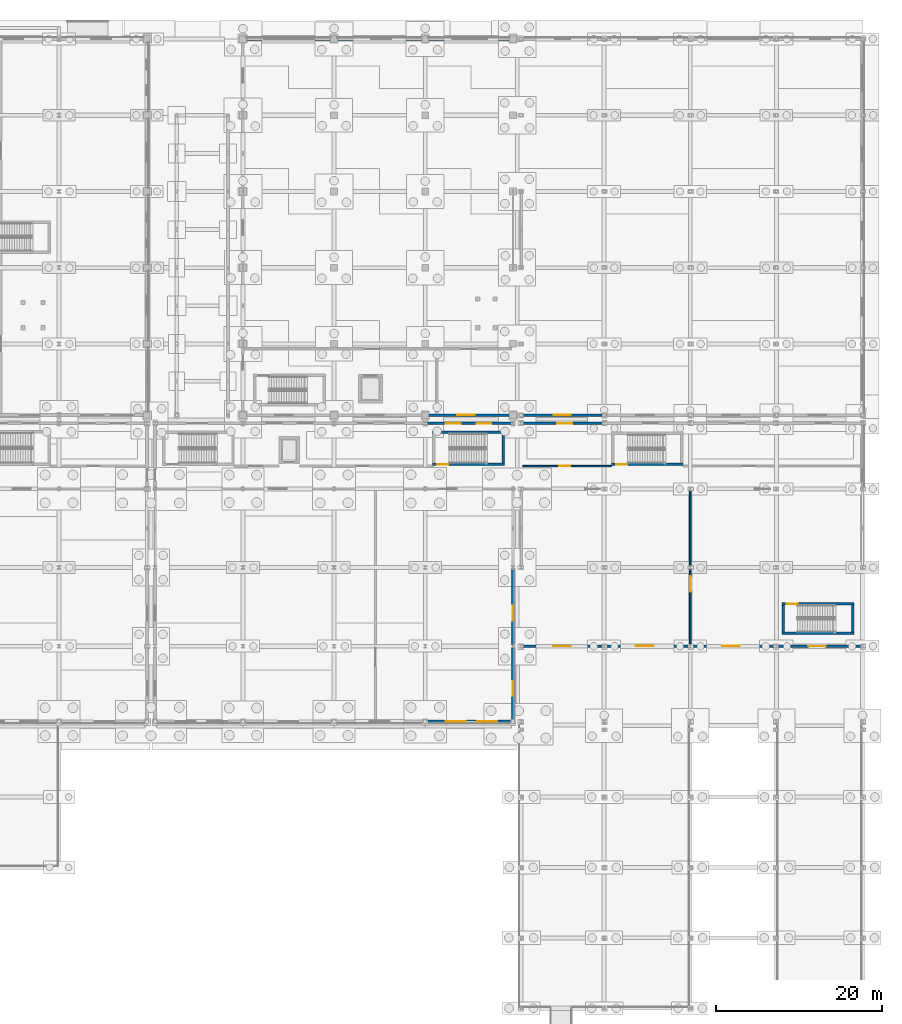
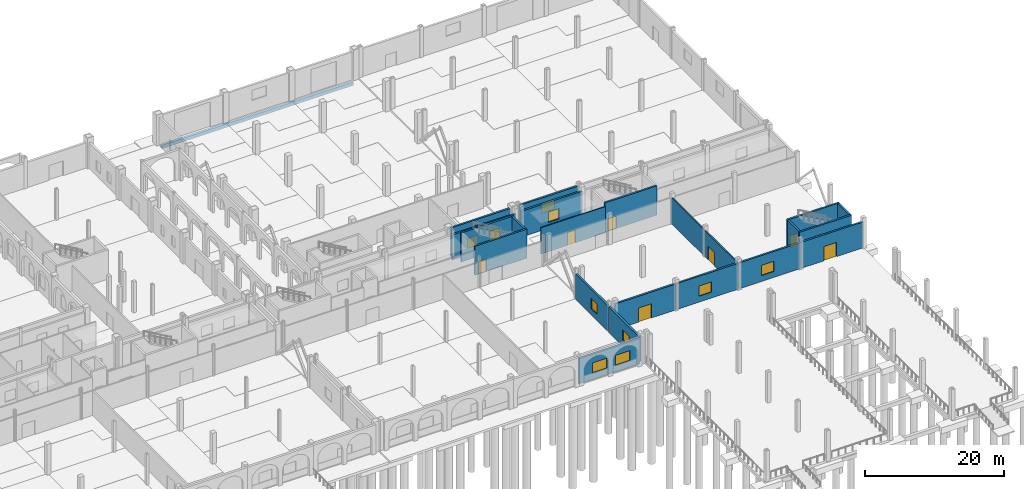
# One storey, part 61 of 83: 22 walls, 11 windows, 7 doors, 18 openings.
"""IFC4 building model written with IfcOpenShell, lengths in metres."""

from ifc_helpers import new_model, si_unit, direction, frame, frame_2d, origin, place, context, subcontext, project, spatial, rectangle, extrude, material, layer, layer_set, type_object, element, fill, save


model = new_model("IFC4")

# Units and contexts
model_context = context("Model", 3, precision=1e-05, world=origin(), true_north=direction((0.0, 1.0)))
body_context = subcontext(model_context, "Body", "Model", "MODEL_VIEW")
ifc_project = project(units=[si_unit("LENGTHUNIT", "METRE"), si_unit("AREAUNIT", "SQUARE_METRE"), si_unit("VOLUMEUNIT", "CUBIC_METRE"), si_unit("PLANEANGLEUNIT", "RADIAN"), si_unit("MASSUNIT", "GRAM", prefix="KILO")], contexts=[model_context])

# Site, building, storey
site_placement = place(None, origin())
site = spatial("IfcSite", under=ifc_project, at=site_placement, CompositionType="ELEMENT")
building_placement = place(site_placement, origin())
building = spatial("IfcBuilding", under=site, at=building_placement, Name="Caurita Quay Ferry Terminal", CompositionType="ELEMENT")
storey_placement = place(building_placement, origin())
storey = spatial("IfcBuildingStorey", under=building, at=storey_placement, Name="L00", CompositionType="ELEMENT", Elevation=0.0)

# Wall, opening, door
ifc_material_1 = material(Name="Reinforced concrete C35/45", Category="concrete")
ifc_layer_1 = layer(ifc_material_1, 0.300048828125, Name="Interior shear wall 300 mm")
ifc_layer_set_1 = layer_set([ifc_layer_1], Name="Reinforced concrete C35/45")
wall_type_1 = type_object("IfcWallType", Name="WL-CORE-300", PredefinedType="SHEAR", material=ifc_layer_set_1)
wall_1_placement = place(storey_placement, frame((122.10009765625, 65.64990234375, 0.0), z_axis=(0.0, 0.0, 1.0), x_axis=(1.0, 0.0, 0.0)))
wall_1 = element("IfcWall", 1, at=wall_1_placement, inside=storey, type_object=wall_type_1, Name="L00 ST-09 Core Wall South", PredefinedType="SHEAR", context=body_context, shape_type="SweptSolid", body=[
    extrude(rectangle(XDim=8.64990234375, YDim=0.300048828125, at=frame_2d((4.324951171875, 0.0))), origin(), (0.0, 0.0, 1.0), 5.10009765625),
])
opening_1_placement = place(wall_1_placement, frame((0.550048828125, 0.0, 0.0)))
opening_1 = element("IfcOpeningElement", 2, at=opening_1_placement, cuts=wall_1, Name="Opening SD-01", PredefinedType="OPENING", context=body_context, shape_type="SweptSolid", body=[
    extrude(rectangle(XDim=1.35009765625, YDim=2.199951171875, at=frame_2d((0.675048828125, 1.10009765625))), frame((0.0, 0.159912109375, 0.0), z_axis=(0.0, -1.0, 0.0), x_axis=(1.0, 0.0, 0.0)), (0.0, 0.0, 1.0), 0.320068359375),
])
ifc_material_2 = material(Name="Anodized aluminium 6063-T6", Category="aluminium")
door_type_1 = type_object("IfcDoorType", Name="DR-ST-1200", OperationType="NOTDEFINED", PredefinedType="DOOR", material=ifc_material_2)
door_1_placement = place(opening_1_placement, frame((1.35009765625, 0.0, 0.0), z_axis=(0.0, 0.0, 1.0), x_axis=(-1.0, 0.0, 0.0)))
door_1 = element("IfcDoor", 3, at=door_1_placement, inside=storey, type_object=door_type_1, Name="L00 Exit Stair ST-09 Fire Door", OperationType="SINGLE_SWING_LEFT", OverallHeight=2.199951171875, OverallWidth=1.35009765625, PredefinedType="DOOR", context=body_context, shape_type="SweptSolid", body=[
    extrude(rectangle(XDim=1.35009765625, YDim=2.199951171875, at=frame_2d((0.675048828125, 1.10009765625))), frame((0.0, 0.02490234375, 0.0), z_axis=(0.0, -1.0, 0.0), x_axis=(1.0, 0.0, 0.0)), (0.0, 0.0, 1.0), 0.050048828125),
])
fill(opening_1, door_1)

# Walls
wall_2_placement = place(storey_placement, frame((130.75, 69.510009765625, 0.0), z_axis=(0.0, 0.0, 1.0), x_axis=(-1.0, 0.0, 0.0)))
element("IfcWall", 4, at=wall_2_placement, inside=storey, type_object=wall_type_1, Name="L00 ST-09 Core Wall North", PredefinedType="SHEAR", context=body_context, shape_type="SweptSolid", body=[
    extrude(rectangle(XDim=8.64990234375, YDim=0.300048828125, at=frame_2d((4.324951171875, 0.0))), origin(), (0.0, 0.0, 1.0), 5.10009765625),
])
wall_3_placement = place(storey_placement, frame((130.60009765625, 65.800048828125, 0.0), z_axis=(0.0, 0.0, 1.0), x_axis=(0.0, 1.0, 0.0)))
element("IfcWall", 5, at=wall_3_placement, inside=storey, type_object=wall_type_1, Name="L00 ST-09 Core Wall East", PredefinedType="SHEAR", context=body_context, shape_type="SweptSolid", body=[
    extrude(rectangle(XDim=3.56005859375, YDim=0.300048828125, at=frame_2d((1.780029296875, 0.0))), origin(), (0.0, 0.0, 1.0), 5.10009765625),
])

# Wall, opening, door
wall_4_placement = place(storey_placement, frame((143.699951171875, 65.64990234375, 0.0), z_axis=(0.0, 0.0, 1.0), x_axis=(1.0, 0.0, 0.0)))
wall_4 = element("IfcWall", 6, at=wall_4_placement, inside=storey, type_object=wall_type_1, Name="L00 ST-10 Core Wall South", PredefinedType="SHEAR", context=body_context, shape_type="SweptSolid", body=[
    extrude(rectangle(XDim=8.650146484375, YDim=0.300048828125, at=frame_2d((4.3251953125, 0.0))), origin(), (0.0, 0.0, 1.0), 5.1650390625),
])
opening_2_placement = place(wall_4_placement, frame((0.550048828125, 0.0, 0.0)))
opening_2 = element("IfcOpeningElement", 7, at=opening_2_placement, cuts=wall_4, Name="Opening SD-01", PredefinedType="OPENING", context=body_context, shape_type="SweptSolid", body=[
    extrude(rectangle(XDim=1.35009765625, YDim=2.199951171875, at=frame_2d((0.675048828125, 1.10009765625))), frame((0.0, 0.159912109375, 0.0), z_axis=(0.0, -1.0, 0.0), x_axis=(1.0, 0.0, 0.0)), (0.0, 0.0, 1.0), 0.320068359375),
])
door_2_placement = place(opening_2_placement, frame((1.35009765625, 0.0, 0.0), z_axis=(0.0, 0.0, 1.0), x_axis=(-1.0, 0.0, 0.0)))
door_2 = element("IfcDoor", 8, at=door_2_placement, inside=storey, type_object=door_type_1, Name="L00 Exit Stair ST-10 Fire Door", OperationType="SINGLE_SWING_RIGHT", OverallHeight=2.199951171875, OverallWidth=1.35009765625, PredefinedType="DOOR", context=body_context, shape_type="SweptSolid", body=[
    extrude(rectangle(XDim=1.35009765625, YDim=2.199951171875, at=frame_2d((0.675048828125, 1.10009765625))), frame((0.0, 0.02490234375, 0.0), z_axis=(0.0, -1.0, 0.0), x_axis=(1.0, 0.0, 0.0)), (0.0, 0.0, 1.0), 0.050048828125),
])
fill(opening_2, door_2)

# Wall
wall_5_placement = place(storey_placement, frame((164.300048828125, 45.25, 0.0), z_axis=(0.0, 0.0, 1.0), x_axis=(1.0, 0.0, 0.0)))
element("IfcWall", 9, at=wall_5_placement, inside=storey, type_object=wall_type_1, Name="L00 ST-11 Core Wall South", PredefinedType="SHEAR", context=body_context, shape_type="SweptSolid", body=[
    extrude(rectangle(XDim=8.64990234375, YDim=0.300048828125, at=frame_2d((4.324951171875, 0.0))), origin(), (0.0, 0.0, 1.0), 5.1650390625),
])

# Wall, opening, door
wall_6_placement = place(storey_placement, frame((172.949951171875, 48.81005859375, 0.0), z_axis=(0.0, 0.0, 1.0), x_axis=(-1.0, 0.0, 0.0)))
wall_6 = element("IfcWall", 10, at=wall_6_placement, inside=storey, type_object=wall_type_1, Name="L00 ST-11 Core Wall North", PredefinedType="SHEAR", context=body_context, shape_type="SweptSolid", body=[
    extrude(rectangle(XDim=8.64990234375, YDim=0.300048828125, at=frame_2d((4.324951171875, 0.0))), origin(), (0.0, 0.0, 1.0), 5.1650390625),
])
opening_3_placement = place(wall_6_placement, frame((6.75, 0.0, 0.0)))
opening_3 = element("IfcOpeningElement", 11, at=opening_3_placement, cuts=wall_6, Name="Opening SD-01", PredefinedType="OPENING", context=body_context, shape_type="SweptSolid", body=[
    extrude(rectangle(XDim=1.35009765625, YDim=2.199951171875, at=frame_2d((0.675048828125, 1.10009765625))), frame((0.0, 0.159912109375, 0.0), z_axis=(0.0, -1.0, 0.0), x_axis=(1.0, 0.0, 0.0)), (0.0, 0.0, 1.0), 0.320068359375),
])
door_3_placement = place(opening_3_placement, frame((1.35009765625, 0.0, 0.0), z_axis=(0.0, 0.0, 1.0), x_axis=(-1.0, 0.0, 0.0)))
door_3 = element("IfcDoor", 12, at=door_3_placement, inside=storey, type_object=door_type_1, Name="L00 Exit Stair ST-11 Fire Door", OperationType="SINGLE_SWING_RIGHT", OverallHeight=2.199951171875, OverallWidth=1.35009765625, PredefinedType="DOOR", context=body_context, shape_type="SweptSolid", body=[
    extrude(rectangle(XDim=1.35009765625, YDim=2.199951171875, at=frame_2d((0.675048828125, 1.10009765625))), frame((0.0, 0.02490234375, 0.0), z_axis=(0.0, -1.0, 0.0), x_axis=(1.0, 0.0, 0.0)), (0.0, 0.0, 1.0), 0.050048828125),
])
fill(opening_3, door_3)

# Walls
for number, where, z_axis, x_axis, name in (
    (13, (164.449951171875, 48.659912109375, 0.0), (0.0, 0.0, 1.0), (0.0, -1.0, 0.0), "L00 ST-11 Core Wall West"),
    (14, (172.800048828125, 45.39990234375, 0.0), (0.0, 0.0, 1.0), (0.0, 1.0, 0.0), "L00 ST-11 Core Wall East"),
):
    element("IfcWall", number, at=place(storey_placement, frame(where, z_axis=z_axis, x_axis=x_axis)), inside=storey, type_object=wall_type_1, Name=name, PredefinedType="SHEAR", context=body_context, shape_type="SweptSolid", body=[
        extrude(rectangle(XDim=3.260009765625, YDim=0.300048828125, at=frame_2d((1.6298828125, 0.0))), origin(), (0.0, 0.0, 1.0), 5.1650390625),
    ])

# Wall, opening, door
ifc_material_3 = material(Name="Warm-white lime stucco masonry", Category="masonry")
ifc_layer_2 = layer(ifc_material_3, 0.199951171875, Name="Interior partitioning wall 200 mm")
ifc_layer_set_2 = layer_set([ifc_layer_2], Name="Warm-white lime stucco masonry")
wall_type_2 = type_object("IfcWallType", Name="WL-CORR-200", PredefinedType="PARTITIONING", material=ifc_layer_set_2)
wall_7_placement = place(storey_placement, frame((153.199951171875, 43.88671875, 0.0), z_axis=(0.0, 0.0, 1.0), x_axis=(0.0, 1.0, 0.0)))
wall_7 = element("IfcWall", 15, at=wall_7_placement, inside=storey, type_object=wall_type_2, Name="L00 Interior Partition IW-L00-017", PredefinedType="PARTITIONING", context=body_context, shape_type="SweptSolid", body=[
    extrude(rectangle(XDim=18.708251953125, YDim=0.199951171875, at=frame_2d((9.35400390625, 0.0))), origin(), (0.0, 0.0, 1.0), 4.62158203125),
])
opening_4_placement = place(wall_7_placement, frame((6.413330078125, 0.0, 0.0)))
opening_4 = element("IfcOpeningElement", 16, at=opening_4_placement, cuts=wall_7, Name="Opening PD-01", PredefinedType="OPENING", context=body_context, shape_type="SweptSolid", body=[
    extrude(rectangle(XDim=1.85009765625, YDim=2.39990234375, at=frame_2d((0.925048828125, 1.199951171875))), frame((0.0, 0.10986328125, 0.0), z_axis=(0.0, -1.0, 0.0), x_axis=(1.0, 0.0, 0.0)), (0.0, 0.0, 1.0), 0.219970703125),
])
door_type_2 = type_object("IfcDoorType", Name="DR-PL-1800", OperationType="NOTDEFINED", PredefinedType="DOOR", material=ifc_material_2)
door_4_placement = place(opening_4_placement, frame((1.85009765625, 0.0, 0.0), z_axis=(0.0, 0.0, 1.0), x_axis=(-1.0, 0.0, 0.0)))
door_4 = element("IfcDoor", 17, at=door_4_placement, inside=storey, type_object=door_type_2, Name="Berth Transfer to Crew Muster Door", OperationType="SINGLE_SWING_RIGHT", OverallHeight=2.39990234375, OverallWidth=1.85009765625, PredefinedType="DOOR", context=body_context, shape_type="SweptSolid", body=[
    extrude(rectangle(XDim=1.85009765625, YDim=2.39990234375, at=frame_2d((0.925048828125, 1.199951171875))), frame((0.0, 0.02490234375, 0.0), z_axis=(0.0, -1.0, 0.0), x_axis=(1.0, 0.0, 0.0)), (0.0, 0.0, 1.0), 0.050048828125),
])
fill(opening_4, door_4)

# Wall, openings, windows
ifc_layer_3 = layer(ifc_material_3, 0.31005859375, Name="Exterior solidwall wall 310 mm")
ifc_layer_set_3 = layer_set([ifc_layer_3], Name="Warm-white lime stucco masonry")
wall_type_3 = type_object("IfcWallType", Name="WL-EXT-310", PredefinedType="SOLIDWALL", material=ifc_layer_set_3)
wall_8_placement = place(storey_placement, frame((131.790771484375, 70.60009765625, 0.0), z_axis=(0.0, 0.0, 1.0), x_axis=(-1.0, 0.0, 0.0)))
wall_8 = element("IfcWall", 18, at=wall_8_placement, inside=storey, type_object=wall_type_3, Name="L00 Exterior Wall EW-L00-179", PredefinedType="SOLIDWALL", context=body_context, shape_type="SweptSolid", body=[
    extrude(rectangle(XDim=10.58154296875, YDim=0.31005859375, at=frame_2d((5.290771484375, 0.0))), origin(), (0.0, 0.0, 1.0), 4.401611328125),
])
opening_5_placement = place(wall_8_placement, frame((2.5908203125, 0.0, 1.050048828125)))
opening_5 = element("IfcOpeningElement", 19, at=opening_5_placement, cuts=wall_8, Name="Opening W-09", PredefinedType="OPENING", context=body_context, shape_type="SweptSolid", body=[
    extrude(rectangle(XDim=1.800048828125, YDim=1.800048828125, at=frame_2d((0.89990234375, 0.89990234375))), frame((0.0, 0.1650390625, 0.0), z_axis=(0.0, -1.0, 0.0), x_axis=(1.0, 0.0, 0.0)), (0.0, 0.0, 1.0), 0.330078125),
])
opening_6_placement = place(wall_8_placement, frame((6.290771484375, 0.0, 1.050048828125)))
opening_6 = element("IfcOpeningElement", 20, at=opening_6_placement, cuts=wall_8, Name="Opening W-09", PredefinedType="OPENING", context=body_context, shape_type="SweptSolid", body=[
    extrude(rectangle(XDim=1.800048828125, YDim=1.800048828125, at=frame_2d((0.89990234375, 0.89990234375))), frame((0.0, 0.1650390625, 0.0), z_axis=(0.0, -1.0, 0.0), x_axis=(1.0, 0.0, 0.0)), (0.0, 0.0, 1.0), 0.330078125),
])
ifc_material_4 = material(Name="Laminated solar-control insulated glass", Category="glass")
window_type_1 = type_object("IfcWindowType", Name="WIN-SC-1818", PartitioningType="SINGLE_PANEL", PredefinedType="WINDOW", material=ifc_material_4)
window_1_placement = place(opening_5_placement, origin())
window_1 = element("IfcWindow", 21, at=window_1_placement, inside=storey, type_object=window_type_1, Name="L00 Casement Window WN-L00-267", OverallHeight=1.800048828125, OverallWidth=1.800048828125, PartitioningType="SINGLE_PANEL", PredefinedType="WINDOW", context=body_context, shape_type="SweptSolid", body=[
    extrude(rectangle(XDim=1.800048828125, YDim=1.800048828125, at=frame_2d((0.89990234375, 0.89990234375))), frame((0.0, 0.030029296875, 0.0), z_axis=(0.0, -1.0, 0.0), x_axis=(1.0, 0.0, 0.0)), (0.0, 0.0, 1.0), 0.06005859375),
])
fill(opening_5, window_1)
window_2_placement = place(opening_6_placement, origin())
window_2 = element("IfcWindow", 22, at=window_2_placement, inside=storey, type_object=window_type_1, Name="L00 Casement Window WN-L00-268", OverallHeight=1.800048828125, OverallWidth=1.800048828125, PartitioningType="SINGLE_PANEL", PredefinedType="WINDOW", context=body_context, shape_type="SweptSolid", body=[
    extrude(rectangle(XDim=1.800048828125, YDim=1.800048828125, at=frame_2d((0.89990234375, 0.89990234375))), frame((0.0, 0.030029296875, 0.0), z_axis=(0.0, -1.0, 0.0), x_axis=(1.0, 0.0, 0.0)), (0.0, 0.0, 1.0), 0.06005859375),
])
fill(opening_6, window_2)

# Wall, opening, door
wall_9_placement = place(storey_placement, frame((132.8046875, 43.699951171875, 0.0), z_axis=(0.0, 0.0, 1.0), x_axis=(1.0, 0.0, 0.0)))
wall_9 = element("IfcWall", 23, at=wall_9_placement, inside=storey, type_object=wall_type_3, Name="L00 Exterior Wall EW-L00-205", PredefinedType="SOLIDWALL", context=body_context, shape_type="SweptSolid", body=[
    extrude(rectangle(XDim=9.99072265625, YDim=0.31005859375, at=frame_2d((4.995361328125, 0.0))), origin(), (0.0, 0.0, 1.0), 4.55810546875),
])
opening_7_placement = place(wall_9_placement, frame((3.84521484375, 0.0, 0.0)))
opening_7 = element("IfcOpeningElement", 24, at=opening_7_placement, cuts=wall_9, Name="Opening ED-02", PredefinedType="OPENING", context=body_context, shape_type="SweptSolid", body=[
    extrude(rectangle(XDim=2.10009765625, YDim=2.5, at=frame_2d((1.050048828125, 1.25))), frame((0.0, 0.1650390625, 0.0), z_axis=(0.0, -1.0, 0.0), x_axis=(1.0, 0.0, 0.0)), (0.0, 0.0, 1.0), 0.330078125),
])
door_type_3 = type_object("IfcDoorType", Name="DR-EXT-2125", OperationType="NOTDEFINED", PredefinedType="DOOR", material=ifc_material_2)
door_5_placement = place(opening_7_placement, frame((2.10009765625, 0.0, 0.0), z_axis=(0.0, 0.0, 1.0), x_axis=(-1.0, 0.0, 0.0)))
door_5 = element("IfcDoor", 25, at=door_5_placement, inside=storey, type_object=door_type_3, Name="Berth Apron Exit ED-B1", OperationType="SINGLE_SWING_LEFT", OverallHeight=2.5, OverallWidth=2.10009765625, PredefinedType="DOOR", context=body_context, shape_type="SweptSolid", body=[
    extrude(rectangle(XDim=2.10009765625, YDim=2.5, at=frame_2d((1.050048828125, 1.25))), frame((0.0, 0.02490234375, 0.0), z_axis=(0.0, -1.0, 0.0), x_axis=(1.0, 0.0, 0.0)), (0.0, 0.0, 1.0), 0.050048828125),
])
fill(opening_7, door_5)

# Wall, opening, window
wall_10_placement = place(storey_placement, frame((142.79541015625, 70.60009765625, 0.0), z_axis=(0.0, 0.0, 1.0), x_axis=(-1.0, 0.0, 0.0)))
wall_10 = element("IfcWall", 26, at=wall_10_placement, inside=storey, type_object=wall_type_3, Name="L00 Exterior Wall EW-L00-206", PredefinedType="SOLIDWALL", context=body_context, shape_type="SweptSolid", body=[
    extrude(rectangle(XDim=9.99072265625, YDim=0.31005859375, at=frame_2d((4.995361328125, 0.0))), origin(), (0.0, 0.0, 1.0), 4.55810546875),
])
opening_8_placement = place(wall_10_placement, frame((3.84521484375, 0.0, 1.050048828125)))
opening_8 = element("IfcOpeningElement", 27, at=opening_8_placement, cuts=wall_10, Name="Opening W-09", PredefinedType="OPENING", context=body_context, shape_type="SweptSolid", body=[
    extrude(rectangle(XDim=1.800048828125, YDim=1.800048828125, at=frame_2d((0.89990234375, 0.89990234375))), frame((0.0, 0.1650390625, 0.0), z_axis=(0.0, -1.0, 0.0), x_axis=(1.0, 0.0, 0.0)), (0.0, 0.0, 1.0), 0.330078125),
])
window_3_placement = place(opening_8_placement, origin())
window_3 = element("IfcWindow", 28, at=window_3_placement, inside=storey, type_object=window_type_1, Name="L00 Casement Window WN-L00-312", OverallHeight=1.800048828125, OverallWidth=1.800048828125, PartitioningType="SINGLE_PANEL", PredefinedType="WINDOW", context=body_context, shape_type="SweptSolid", body=[
    extrude(rectangle(XDim=1.800048828125, YDim=1.800048828125, at=frame_2d((0.89990234375, 0.89990234375))), frame((0.0, 0.030029296875, 0.0), z_axis=(0.0, -1.0, 0.0), x_axis=(1.0, 0.0, 0.0)), (0.0, 0.0, 1.0), 0.06005859375),
])
fill(opening_8, window_3)

wall_11_placement = place(storey_placement, frame((142.8046875, 43.699951171875, 0.0), z_axis=(0.0, 0.0, 1.0), x_axis=(1.0, 0.0, 0.0)))
wall_11 = element("IfcWall", 29, at=wall_11_placement, inside=storey, type_object=wall_type_3, Name="L00 Exterior Wall EW-L00-208", PredefinedType="SOLIDWALL", context=body_context, shape_type="SweptSolid", body=[
    extrude(rectangle(XDim=10.390625, YDim=0.31005859375, at=frame_2d((5.1953125, 0.0))), origin(), (0.0, 0.0, 1.0), 4.55810546875),
])
opening_9_placement = place(wall_11_placement, frame((3.84521484375, 0.0, 1.050048828125)))
opening_9 = element("IfcOpeningElement", 30, at=opening_9_placement, cuts=wall_11, Name="Opening W-11", PredefinedType="OPENING", context=body_context, shape_type="SweptSolid", body=[
    extrude(rectangle(XDim=2.10009765625, YDim=1.800048828125, at=frame_2d((1.050048828125, 0.89990234375))), frame((0.0, 0.1650390625, 0.0), z_axis=(0.0, -1.0, 0.0), x_axis=(1.0, 0.0, 0.0)), (0.0, 0.0, 1.0), 0.330078125),
])
window_type_2 = type_object("IfcWindowType", Name="WIN-SC-2118", PartitioningType="SINGLE_PANEL", PredefinedType="WINDOW", material=ifc_material_4)
window_4_placement = place(opening_9_placement, origin())
window_4 = element("IfcWindow", 31, at=window_4_placement, inside=storey, type_object=window_type_2, Name="L00 Casement Window WN-L00-314", OverallHeight=1.800048828125, OverallWidth=2.10009765625, PartitioningType="SINGLE_PANEL", PredefinedType="WINDOW", context=body_context, shape_type="SweptSolid", body=[
    extrude(rectangle(XDim=2.10009765625, YDim=1.800048828125, at=frame_2d((1.050048828125, 0.89990234375))), frame((0.0, 0.030029296875, 0.0), z_axis=(0.0, -1.0, 0.0), x_axis=(1.0, 0.0, 0.0)), (0.0, 0.0, 1.0), 0.06005859375),
])
fill(opening_9, window_4)

wall_12_placement = place(storey_placement, frame((153.20458984375, 43.699951171875, 0.0), z_axis=(0.0, 0.0, 1.0), x_axis=(1.0, 0.0, 0.0)))
wall_12 = element("IfcWall", 32, at=wall_12_placement, inside=storey, type_object=wall_type_3, Name="L00 Exterior Wall EW-L00-211", PredefinedType="SOLIDWALL", context=body_context, shape_type="SweptSolid", body=[
    extrude(rectangle(XDim=10.390625, YDim=0.31005859375, at=frame_2d((5.1953125, 0.0))), origin(), (0.0, 0.0, 1.0), 4.55810546875),
])
opening_10_placement = place(wall_12_placement, frame((3.84521484375, 0.0, 1.050048828125)))
opening_10 = element("IfcOpeningElement", 33, at=opening_10_placement, cuts=wall_12, Name="Opening W-11", PredefinedType="OPENING", context=body_context, shape_type="SweptSolid", body=[
    extrude(rectangle(XDim=2.10009765625, YDim=1.800048828125, at=frame_2d((1.050048828125, 0.89990234375))), frame((0.0, 0.1650390625, 0.0), z_axis=(0.0, -1.0, 0.0), x_axis=(1.0, 0.0, 0.0)), (0.0, 0.0, 1.0), 0.330078125),
])
window_5_placement = place(opening_10_placement, origin())
window_5 = element("IfcWindow", 34, at=window_5_placement, inside=storey, type_object=window_type_2, Name="L00 Casement Window WN-L00-317", OverallHeight=1.800048828125, OverallWidth=2.10009765625, PartitioningType="SINGLE_PANEL", PredefinedType="WINDOW", context=body_context, shape_type="SweptSolid", body=[
    extrude(rectangle(XDim=2.10009765625, YDim=1.800048828125, at=frame_2d((1.050048828125, 0.89990234375))), frame((0.0, 0.030029296875, 0.0), z_axis=(0.0, -1.0, 0.0), x_axis=(1.0, 0.0, 0.0)), (0.0, 0.0, 1.0), 0.06005859375),
])
fill(opening_10, window_5)

# Wall, opening, door
wall_13_placement = place(storey_placement, frame((163.6044921875, 43.699951171875, 0.0), z_axis=(0.0, 0.0, 1.0), x_axis=(1.0, 0.0, 0.0)))
wall_13 = element("IfcWall", 35, at=wall_13_placement, inside=storey, type_object=wall_type_3, Name="L00 Exterior Wall EW-L00-214", PredefinedType="SOLIDWALL", context=body_context, shape_type="SweptSolid", body=[
    extrude(rectangle(XDim=10.390869140625, YDim=0.31005859375, at=frame_2d((5.1953125, 0.0))), origin(), (0.0, 0.0, 1.0), 4.55810546875),
])
opening_11_placement = place(wall_13_placement, frame((3.84521484375, 0.0, 0.0)))
opening_11 = element("IfcOpeningElement", 36, at=opening_11_placement, cuts=wall_13, Name="Opening ED-02", PredefinedType="OPENING", context=body_context, shape_type="SweptSolid", body=[
    extrude(rectangle(XDim=2.10009765625, YDim=2.5, at=frame_2d((1.050048828125, 1.25))), frame((0.0, 0.1650390625, 0.0), z_axis=(0.0, -1.0, 0.0), x_axis=(1.0, 0.0, 0.0)), (0.0, 0.0, 1.0), 0.330078125),
])
door_6_placement = place(opening_11_placement, frame((2.10009765625, 0.0, 0.0), z_axis=(0.0, 0.0, 1.0), x_axis=(-1.0, 0.0, 0.0)))
door_6 = element("IfcDoor", 37, at=door_6_placement, inside=storey, type_object=door_type_3, Name="Berth Apron Exit ED-B4", OperationType="SINGLE_SWING_RIGHT", OverallHeight=2.5, OverallWidth=2.10009765625, PredefinedType="DOOR", context=body_context, shape_type="SweptSolid", body=[
    extrude(rectangle(XDim=2.10009765625, YDim=2.5, at=frame_2d((1.050048828125, 1.25))), frame((0.0, 0.02490234375, 0.0), z_axis=(0.0, -1.0, 0.0), x_axis=(1.0, 0.0, 0.0)), (0.0, 0.0, 1.0), 0.050048828125),
])
fill(opening_11, door_6)

# Wall, opening, window
wall_14_placement = place(storey_placement, frame((121.597900390625, 71.60009765625, 0.0), z_axis=(0.0, 0.0, 1.0), x_axis=(1.0, 0.0, 0.0)))
wall_14 = element("IfcWall", 38, at=wall_14_placement, inside=storey, type_object=wall_type_3, Name="L00 Exterior Wall EW-L00-248", PredefinedType="SOLIDWALL", context=body_context, shape_type="SweptSolid", body=[
    extrude(rectangle(XDim=9.80419921875, YDim=0.31005859375, at=frame_2d((4.902099609375, 0.0))), origin(), (0.0, 0.0, 1.0), 4.90771484375),
])
opening_12_placement = place(wall_14_placement, frame((3.501953125, 0.0, 2.10009765625)))
opening_12 = element("IfcOpeningElement", 39, at=opening_12_placement, cuts=wall_14, Name="Opening W-11", PredefinedType="OPENING", context=body_context, shape_type="SweptSolid", body=[
    extrude(rectangle(XDim=2.10009765625, YDim=1.800048828125, at=frame_2d((1.050048828125, 0.89990234375))), frame((0.0, 0.1650390625, 0.0), z_axis=(0.0, -1.0, 0.0), x_axis=(1.0, 0.0, 0.0)), (0.0, 0.0, 1.0), 0.330078125),
])
window_6_placement = place(opening_12_placement, origin())
window_6 = element("IfcWindow", 40, at=window_6_placement, inside=storey, type_object=window_type_2, Name="L00 Casement Window WN-L00-343", OverallHeight=1.800048828125, OverallWidth=2.10009765625, PartitioningType="SINGLE_PANEL", PredefinedType="WINDOW", context=body_context, shape_type="SweptSolid", body=[
    extrude(rectangle(XDim=2.10009765625, YDim=1.800048828125, at=frame_2d((1.050048828125, 0.89990234375))), frame((0.0, 0.030029296875, 0.0), z_axis=(0.0, -1.0, 0.0), x_axis=(1.0, 0.0, 0.0)), (0.0, 0.0, 1.0), 0.06005859375),
])
fill(opening_12, window_6)

wall_15_placement = place(storey_placement, frame((132.97607421875, 71.60009765625, 0.0), z_axis=(0.0, 0.0, 1.0), x_axis=(1.0, 0.0, 0.0)))
wall_15 = element("IfcWall", 41, at=wall_15_placement, inside=storey, type_object=wall_type_3, Name="L00 Exterior Wall EW-L00-249", PredefinedType="SOLIDWALL", context=body_context, shape_type="SweptSolid", body=[
    extrude(rectangle(XDim=9.64794921875, YDim=0.31005859375, at=frame_2d((4.823974609375, 0.0))), origin(), (0.0, 0.0, 1.0), 4.897705078125),
])
opening_13_placement = place(wall_15_placement, frame((3.72412109375, 0.0, 2.10009765625)))
opening_13 = element("IfcOpeningElement", 42, at=opening_13_placement, cuts=wall_15, Name="Opening W-11", PredefinedType="OPENING", context=body_context, shape_type="SweptSolid", body=[
    extrude(rectangle(XDim=2.10009765625, YDim=1.800048828125, at=frame_2d((1.050048828125, 0.89990234375))), frame((0.0, 0.1650390625, 0.0), z_axis=(0.0, -1.0, 0.0), x_axis=(1.0, 0.0, 0.0)), (0.0, 0.0, 1.0), 0.330078125),
])
window_7_placement = place(opening_13_placement, origin())
window_7 = element("IfcWindow", 43, at=window_7_placement, inside=storey, type_object=window_type_2, Name="L00 Casement Window WN-L00-344", OverallHeight=1.800048828125, OverallWidth=2.10009765625, PartitioningType="SINGLE_PANEL", PredefinedType="WINDOW", context=body_context, shape_type="SweptSolid", body=[
    extrude(rectangle(XDim=2.10009765625, YDim=1.800048828125, at=frame_2d((1.050048828125, 0.89990234375))), frame((0.0, 0.030029296875, 0.0), z_axis=(0.0, -1.0, 0.0), x_axis=(1.0, 0.0, 0.0)), (0.0, 0.0, 1.0), 0.06005859375),
])
fill(opening_13, window_7)

ifc_layer_4 = layer(ifc_material_3, 0.340087890625, Name="Exterior solidwall wall 340 mm")
ifc_layer_set_4 = layer_set([ifc_layer_4], Name="Warm-white lime stucco masonry")
wall_type_4 = type_object("IfcWallType", Name="WL-EXT-340", PredefinedType="SOLIDWALL", material=ifc_layer_set_4)
wall_16_placement = place(storey_placement, frame((131.800048828125, 34.845947265625, 0.0), z_axis=(0.0, 0.0, 1.0), x_axis=(0.0, 1.0, 0.0)))
wall_16 = element("IfcWall", 44, at=wall_16_placement, inside=storey, type_object=wall_type_4, Name="L00 Exterior Wall EW-L00-160", PredefinedType="SOLIDWALL", context=body_context, shape_type="SweptSolid", body=[
    extrude(rectangle(XDim=8.6591796875, YDim=0.340087890625, at=frame_2d((4.32958984375, 0.0))), origin(), (0.0, 0.0, 1.0), 4.48291015625),
])
opening_14_placement = place(wall_16_placement, frame((2.85400390625, 0.0, 1.10009765625)))
opening_14 = element("IfcOpeningElement", 45, at=opening_14_placement, cuts=wall_16, Name="Opening W-09", PredefinedType="OPENING", context=body_context, shape_type="SweptSolid", body=[
    extrude(rectangle(XDim=1.800048828125, YDim=1.800048828125, at=frame_2d((0.89990234375, 0.89990234375))), frame((0.0, 0.179931640625, 0.0), z_axis=(0.0, -1.0, 0.0), x_axis=(1.0, 0.0, 0.0)), (0.0, 0.0, 1.0), 0.360107421875),
])
window_8_placement = place(opening_14_placement, origin())
window_8 = element("IfcWindow", 46, at=window_8_placement, inside=storey, type_object=window_type_1, Name="L00 Casement Window WN-L00-245", OverallHeight=1.800048828125, OverallWidth=1.800048828125, PartitioningType="SINGLE_PANEL", PredefinedType="WINDOW", context=body_context, shape_type="SweptSolid", body=[
    extrude(rectangle(XDim=1.800048828125, YDim=1.800048828125, at=frame_2d((0.89990234375, 0.89990234375))), frame((0.0, 0.030029296875, 0.0), z_axis=(0.0, -1.0, 0.0), x_axis=(1.0, 0.0, 0.0)), (0.0, 0.0, 1.0), 0.06005859375),
])
fill(opening_14, window_8)

wall_17_placement = place(storey_placement, frame((131.800048828125, 43.89501953125, 0.0), z_axis=(0.0, 0.0, 1.0), x_axis=(0.0, 1.0, 0.0)))
wall_17 = element("IfcWall", 47, at=wall_17_placement, inside=storey, type_object=wall_type_4, Name="L00 Exterior Wall EW-L00-161", PredefinedType="SOLIDWALL", context=body_context, shape_type="SweptSolid", body=[
    extrude(rectangle(XDim=9.110107421875, YDim=0.340087890625, at=frame_2d((4.55517578125, 0.0))), origin(), (0.0, 0.0, 1.0), 4.48291015625),
])
opening_15_placement = place(wall_17_placement, frame((2.9052734375, 0.0, 1.10009765625)))
opening_15 = element("IfcOpeningElement", 48, at=opening_15_placement, cuts=wall_17, Name="Opening W-09", PredefinedType="OPENING", context=body_context, shape_type="SweptSolid", body=[
    extrude(rectangle(XDim=1.800048828125, YDim=1.800048828125, at=frame_2d((0.89990234375, 0.89990234375))), frame((0.0, 0.179931640625, 0.0), z_axis=(0.0, -1.0, 0.0), x_axis=(1.0, 0.0, 0.0)), (0.0, 0.0, 1.0), 0.360107421875),
])
window_9_placement = place(opening_15_placement, origin())
window_9 = element("IfcWindow", 49, at=window_9_placement, inside=storey, type_object=window_type_1, Name="L00 Casement Window WN-L00-246", OverallHeight=1.800048828125, OverallWidth=1.800048828125, PartitioningType="SINGLE_PANEL", PredefinedType="WINDOW", context=body_context, shape_type="SweptSolid", body=[
    extrude(rectangle(XDim=1.800048828125, YDim=1.800048828125, at=frame_2d((0.89990234375, 0.89990234375))), frame((0.0, 0.030029296875, 0.0), z_axis=(0.0, -1.0, 0.0), x_axis=(1.0, 0.0, 0.0)), (0.0, 0.0, 1.0), 0.06005859375),
])
fill(opening_15, window_9)

# Wall, openings, windows
wall_18_placement = place(storey_placement, frame((121.446044921875, 34.60009765625, 0.0), z_axis=(0.0, 0.0, 1.0), x_axis=(1.0, 0.0, 0.0)))
wall_18 = element("IfcWall", 50, at=wall_18_placement, inside=storey, type_object=wall_type_4, Name="L00 Exterior Wall EW-L00-169", PredefinedType="SOLIDWALL", context=body_context, shape_type="SweptSolid", body=[
    extrude(rectangle(XDim=10.10791015625, YDim=0.340087890625, at=frame_2d((5.053955078125, 0.0))), origin(), (0.0, 0.0, 1.0), 4.401611328125),
])
opening_16_placement = place(wall_18_placement, frame((2.25390625, 0.0, 1.10009765625)))
opening_16 = element("IfcOpeningElement", 51, at=opening_16_placement, cuts=wall_18, Name="Opening W-13", PredefinedType="OPENING", context=body_context, shape_type="SweptSolid", body=[
    extrude(rectangle(XDim=2.39990234375, YDim=1.800048828125, at=frame_2d((1.199951171875, 0.89990234375))), frame((0.0, 0.179931640625, 0.0), z_axis=(0.0, -1.0, 0.0), x_axis=(1.0, 0.0, 0.0)), (0.0, 0.0, 1.0), 0.360107421875),
])
opening_17_placement = place(wall_18_placement, frame((6.053955078125, 0.0, 1.10009765625)))
opening_17 = element("IfcOpeningElement", 52, at=opening_17_placement, cuts=wall_18, Name="Opening W-13", PredefinedType="OPENING", context=body_context, shape_type="SweptSolid", body=[
    extrude(rectangle(XDim=2.39990234375, YDim=1.800048828125, at=frame_2d((1.199951171875, 0.89990234375))), frame((0.0, 0.179931640625, 0.0), z_axis=(0.0, -1.0, 0.0), x_axis=(1.0, 0.0, 0.0)), (0.0, 0.0, 1.0), 0.360107421875),
])
window_type_3 = type_object("IfcWindowType", Name="WIN-SC-2418", PartitioningType="SINGLE_PANEL", PredefinedType="WINDOW", material=ifc_material_4)
window_10_placement = place(opening_16_placement, origin())
window_10 = element("IfcWindow", 53, at=window_10_placement, inside=storey, type_object=window_type_3, Name="L00 Casement Window WN-L00-249", OverallHeight=1.800048828125, OverallWidth=2.39990234375, PartitioningType="SINGLE_PANEL", PredefinedType="WINDOW", context=body_context, shape_type="SweptSolid", body=[
    extrude(rectangle(XDim=2.39990234375, YDim=1.800048828125, at=frame_2d((1.199951171875, 0.89990234375))), frame((0.0, 0.030029296875, 0.0), z_axis=(0.0, -1.0, 0.0), x_axis=(1.0, 0.0, 0.0)), (0.0, 0.0, 1.0), 0.06005859375),
])
fill(opening_16, window_10)
window_11_placement = place(opening_17_placement, origin())
window_11 = element("IfcWindow", 54, at=window_11_placement, inside=storey, type_object=window_type_3, Name="L00 Casement Window WN-L00-250", OverallHeight=1.800048828125, OverallWidth=2.39990234375, PartitioningType="SINGLE_PANEL", PredefinedType="WINDOW", context=body_context, shape_type="SweptSolid", body=[
    extrude(rectangle(XDim=2.39990234375, YDim=1.800048828125, at=frame_2d((1.199951171875, 0.89990234375))), frame((0.0, 0.030029296875, 0.0), z_axis=(0.0, -1.0, 0.0), x_axis=(1.0, 0.0, 0.0)), (0.0, 0.0, 1.0), 0.06005859375),
])
fill(opening_17, window_11)

# Wall, opening, door
ifc_material_5 = material(Name="Gypsum board partition", Category="masonry")
ifc_layer_5 = layer(ifc_material_5, 0.175048828125, Name="Interior partitioning wall 175 mm")
ifc_layer_set_5 = layer_set([ifc_layer_5], Name="Gypsum board partition")
wall_type_5 = type_object("IfcWallType", Name="WL-PART-175", PredefinedType="PARTITIONING", material=ifc_layer_set_5)
wall_19_placement = place(storey_placement, frame((133.0, 65.449951171875, 0.0), z_axis=(0.0, 0.0, 1.0), x_axis=(1.0, 0.0, 0.0)))
wall_19 = element("IfcWall", 55, at=wall_19_placement, inside=storey, type_object=wall_type_5, Name="L00 Interior Partition IW-L00-018", PredefinedType="PARTITIONING", context=body_context, shape_type="SweptSolid", body=[
    extrude(rectangle(XDim=10.68994140625, YDim=0.175048828125, at=frame_2d((5.344970703125, 0.0))), origin(), (0.0, 0.0, 1.0), 4.62158203125),
])
opening_18_placement = place(wall_19_placement, frame((4.39990234375, 0.0, 0.0)))
opening_18 = element("IfcOpeningElement", 56, at=opening_18_placement, cuts=wall_19, Name="Opening ID-12", PredefinedType="OPENING", context=body_context, shape_type="SweptSolid", body=[
    extrude(rectangle(XDim=1.300048828125, YDim=2.25, at=frame_2d((0.64990234375, 1.125))), frame((0.0, 0.097412109375, 0.0), z_axis=(0.0, -1.0, 0.0), x_axis=(1.0, 0.0, 0.0)), (0.0, 0.0, 1.0), 0.195068359375),
])
door_type_4 = type_object("IfcDoorType", Name="DR-STR-1300", OperationType="NOTDEFINED", PredefinedType="DOOR", material=ifc_material_2)
door_7_placement = place(opening_18_placement, origin())
door_7 = element("IfcDoor", 57, at=door_7_placement, inside=storey, type_object=door_type_4, Name="Mooring Gear Store Door", OperationType="SINGLE_SWING_LEFT", OverallHeight=2.25, OverallWidth=1.300048828125, PredefinedType="DOOR", context=body_context, shape_type="SweptSolid", body=[
    extrude(rectangle(XDim=1.300048828125, YDim=2.25, at=frame_2d((0.64990234375, 1.125))), frame((0.0, 0.02490234375, 0.0), z_axis=(0.0, -1.0, 0.0), x_axis=(1.0, 0.0, 0.0)), (0.0, 0.0, 1.0), 0.050048828125),
])
fill(opening_18, door_7)

# Wall
ifc_material_6 = material(Name="Marine reinforced concrete C40/50", Category="concrete")
ifc_layer_6 = layer(ifc_material_6, 0.419921875, Name="Exterior userdefined wall 420 mm")
ifc_layer_set_6 = layer_set([ifc_layer_6], Name="Marine reinforced concrete C40/50")
wall_type_6 = type_object("IfcWallType", Name="WL-RET-420", PredefinedType="USERDEFINED", material=ifc_layer_set_6)
wall_20_placement = place(storey_placement, frame((99.699951171875, 117.0, -1.0), z_axis=(0.0, 0.0, 1.0), x_axis=(1.0, 0.0, 0.0)))
element("IfcWall", 58, at=wall_20_placement, inside=storey, type_object=wall_type_6, Name="Quay Perimeter Retaining Seawall 08", ObjectType="RETAINING WALL", PredefinedType="USERDEFINED", context=body_context, shape_type="SweptSolid", body=[
    extrude(rectangle(XDim=31.800048828125, YDim=0.419921875, at=frame_2d((15.89990234375, 0.0))), origin(), (0.0, 0.0, 1.0), 0.580078125),
])

save(model, "model.ifc")
